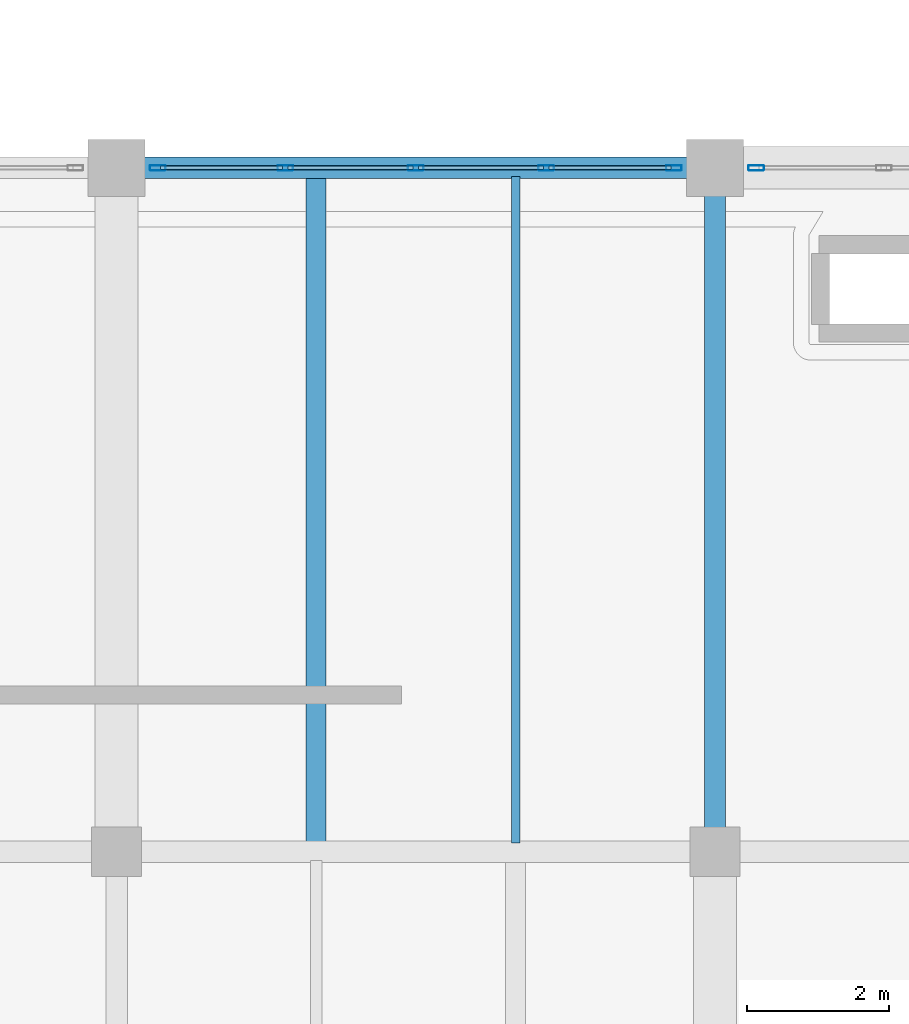
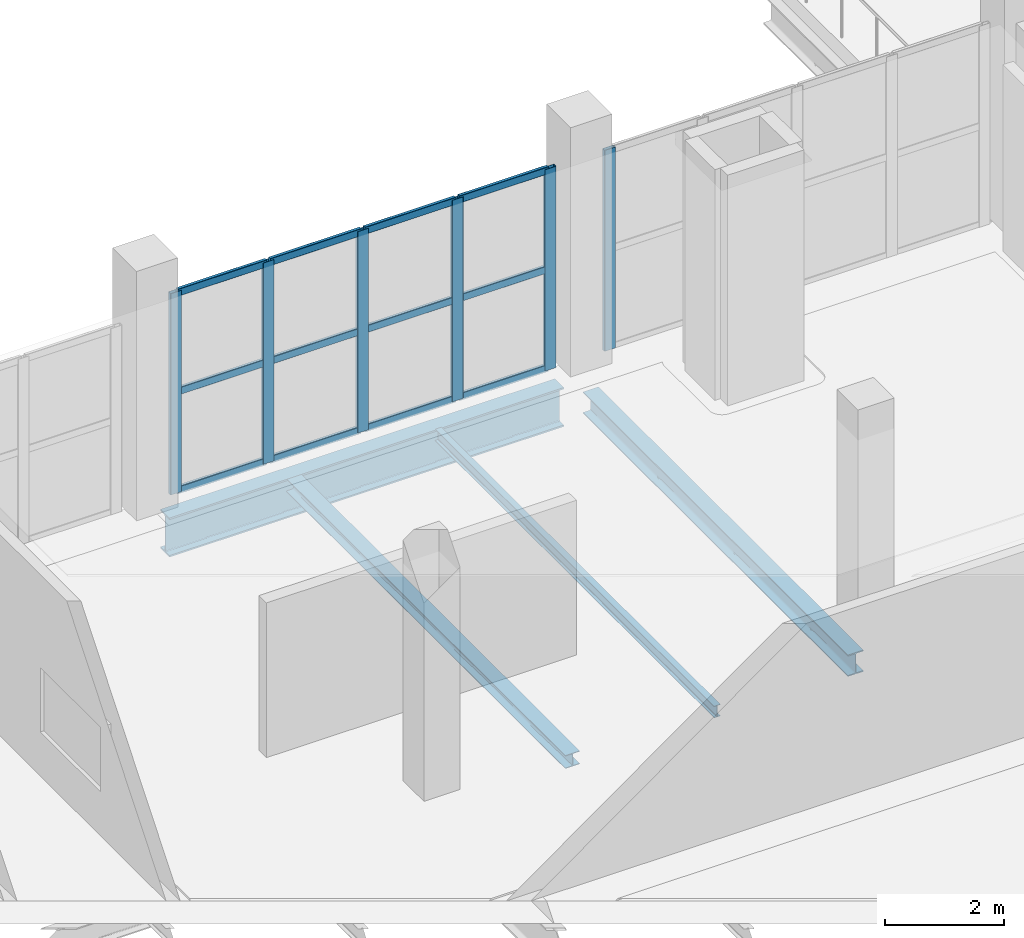
# One storey, part 19 of 77: 18 members, 4 beams, 2 elements without a shape of their own.
"""IFC4 building model written with IfcOpenShell, lengths in metres."""

from ifc_helpers import new_model, si_unit, direction, frame, origin, origin_2d, place, context, subcontext, project, spatial, hollow_rectangle, i_section, extrude, material, layer, layer_set, material_profile, profile_set, type_object, element, aggregate, save


model = new_model("IFC4")

# Units and contexts
model_context = context("Model", 3, precision=1e-05, world=origin(), true_north=direction((0.0, 1.0)))
body_context = subcontext(model_context, "Body", "Model", "MODEL_VIEW")
ifc_project = project(units=[si_unit("LENGTHUNIT", "METRE"), si_unit("AREAUNIT", "SQUARE_METRE"), si_unit("VOLUMEUNIT", "CUBIC_METRE"), si_unit("PLANEANGLEUNIT", "RADIAN"), si_unit("MASSUNIT", "GRAM", prefix="KILO")], contexts=[model_context])

# Site, building, storey
site_placement = place(None, origin())
site = spatial("IfcSite", under=ifc_project, at=site_placement, CompositionType="ELEMENT")
building_placement = place(site_placement, origin())
building = spatial("IfcBuilding", under=site, at=building_placement, Name="Zulmaris Art Gallery", CompositionType="ELEMENT")
storey_placement = place(building_placement, frame((0.0, 0.0, 15.60009765625)))
storey = spatial("IfcBuildingStorey", under=building, at=storey_placement, Name="L03", CompositionType="ELEMENT", Elevation=15.60009765625)

# Beams
ifc_material_1 = material(Name="Steel S355J2", Category="steel")
ifc_material_profile_1 = material_profile(ifc_material_1, i_section(OverallWidth=0.300048828125, OverallDepth=0.43994140625, WebThickness=0.011474609375, FlangeThickness=0.02099609375, FilletRadius=0.027099609375, at=origin_2d()), Name="HEA 450")
ifc_profile_set_1 = profile_set([ifc_material_profile_1], Name="Steel S355J2")
beam_type_1 = type_object("IfcBeamType", Name="BEAM-BM10", PredefinedType="BEAM", material=ifc_profile_set_1)
beam_1_placement = place(storey_placement, frame((74.39990234375, 41.135009765625, -0.6201171875), z_axis=(0.0, 1.0, 0.0), x_axis=(-1.0, 0.0, 0.0)))
element("IfcBeam", 1, at=beam_1_placement, inside=storey, type_object=beam_type_1, Name="L03 Y-girder (x=74.4, 40.8..50.4)", PredefinedType="BEAM", context=body_context, shape_type="SweptSolid", body=[
    extrude(i_section(OverallWidth=0.300048828125, OverallDepth=0.43994140625, WebThickness=0.011474609375, FlangeThickness=0.02099609375, FilletRadius=0.027099609375, at=origin_2d()), origin(), (0.0, 0.0, 1.0), 8.8798828125),
])
ifc_material_profile_2 = material_profile(ifc_material_1, i_section(OverallWidth=0.300048828125, OverallDepth=0.800048828125, WebThickness=0.017578125, FlangeThickness=0.032958984375, FilletRadius=0.030029296875, at=origin_2d()), Name="HEB 800")
ifc_profile_set_2 = profile_set([ifc_material_profile_2], Name="Steel S355J2")
beam_type_2 = type_object("IfcBeamType", Name="BEAM-BM17", PredefinedType="BEAM", material=ifc_profile_set_2)
beam_2_placement = place(storey_placement, frame((66.385009765625, 50.39990234375, -0.77001953125), z_axis=(1.0, 0.0, 0.0), x_axis=(0.0, 1.0, 0.0)))
element("IfcBeam", 2, at=beam_2_placement, inside=storey, type_object=beam_type_2, Name="L03 X-girder (66.0..74.4, y=50.4)", PredefinedType="BEAM", context=body_context, shape_type="SweptSolid", body=[
    extrude(i_section(OverallWidth=0.300048828125, OverallDepth=0.800048828125, WebThickness=0.017578125, FlangeThickness=0.032958984375, FilletRadius=0.030029296875, at=origin_2d()), origin(), (0.0, 0.0, 1.0), 7.6298828125),
])
ifc_material_profile_3 = material_profile(ifc_material_1, i_section(OverallWidth=0.1201171875, OverallDepth=0.239990234375, WebThickness=0.006103515625, FlangeThickness=0.009765625, FilletRadius=0.014892578125, at=origin_2d()), Name="IPE 240")
ifc_profile_set_3 = profile_set([ifc_material_profile_3], Name="Steel S355J2")
beam_type_3 = type_object("IfcBeamType", Name="BEAM-JS01", PredefinedType="JOIST", material=ifc_profile_set_3)
beam_3_placement = place(storey_placement, frame((71.60009765625, 40.925048828125, -0.489990234375), z_axis=(0.0, 1.0, 0.0), x_axis=(-1.0, 0.0, 0.0)))
element("IfcBeam", 3, at=beam_3_placement, inside=storey, type_object=beam_type_3, Name="L03 secondary joist at x=71.6", PredefinedType="JOIST", context=body_context, shape_type="SweptSolid", body=[
    extrude(i_section(OverallWidth=0.1201171875, OverallDepth=0.239990234375, WebThickness=0.006103515625, FlangeThickness=0.009765625, FilletRadius=0.014892578125, at=origin_2d()), origin(), (0.0, 0.0, 1.0), 9.349853515625),
])
ifc_material_profile_4 = material_profile(ifc_material_1, i_section(OverallWidth=0.280029296875, OverallDepth=0.27001953125, WebThickness=0.008056640625, FlangeThickness=0.012939453125, FilletRadius=0.02392578125, at=origin_2d()), Name="HEA 280")
ifc_profile_set_4 = profile_set([ifc_material_profile_4], Name="Steel S355J2")
beam_type_4 = type_object("IfcBeamType", Name="BEAM-JS04", PredefinedType="JOIST", material=ifc_profile_set_4)
beam_4_placement = place(storey_placement, frame((68.800048828125, 40.925048828125, -0.505126953125), z_axis=(0.0, 1.0, 0.0), x_axis=(-1.0, 0.0, 0.0)))
element("IfcBeam", 4, at=beam_4_placement, inside=storey, type_object=beam_type_4, Name="L03 secondary joist at x=68.8", PredefinedType="JOIST", context=body_context, shape_type="SweptSolid", body=[
    extrude(i_section(OverallWidth=0.280029296875, OverallDepth=0.27001953125, WebThickness=0.008056640625, FlangeThickness=0.012939453125, FilletRadius=0.02392578125, at=origin_2d()), origin(), (0.0, 0.0, 1.0), 9.349853515625),
])

# Curtain wall, members
ifc_material_2 = material(Name="Unitised Low-E Gallery Curtain Wall", Category="aluminium")
ifc_layer = layer(ifc_material_2, 0.179931640625)
ifc_layer_set = layer_set([ifc_layer], Name="Unitised Low-E Gallery Curtain Wall")
curtain_wall_type = type_object("IfcCurtainWallType", Name="CW-CW01", PredefinedType="NOTDEFINED", material=ifc_layer_set)
curtain_wall_1_placement = place(storey_placement, origin())
curtain_wall_1 = element("IfcCurtainWall", 5, at=curtain_wall_1_placement, inside=storey, type_object=curtain_wall_type, Name="L03 curtain wall 13", PredefinedType="NOTDEFINED")
ifc_material_3 = material(Name="Anodised Bronze Aluminium", Category="aluminium")
ifc_material_profile_5 = material_profile(ifc_material_3, hollow_rectangle(XDim=0.074951171875, YDim=0.219970703125, WallThickness=0.0048828125, InnerFilletRadius=0.007568359375, OuterFilletRadius=0.012451171875, at=origin_2d()), Name="ALU 75x220x5")
ifc_profile_set_5 = profile_set([ifc_material_profile_5], Name="Anodised Bronze Aluminium")
member_type_1 = type_object("IfcMemberType", Name="CWMUL-02", PredefinedType="MULLION", material=ifc_profile_set_5)
member_1_placement = place(storey_placement, frame((73.822509765625, 50.39990234375, 0.0), z_axis=(0.0, 0.0, 1.0), x_axis=(0.0, -1.0, 0.0)))
member_1 = element("IfcMember", 6, at=member_1_placement, type_object=member_type_1, Name="CW01 mullion 1", PredefinedType="MULLION", context=body_context, shape_type="SweptSolid", body=[
    extrude(hollow_rectangle(XDim=0.074951171875, YDim=0.219970703125, WallThickness=0.0048828125, InnerFilletRadius=0.007568359375, OuterFilletRadius=0.012451171875, at=origin_2d()), origin(), (0.0, 0.0, 1.0), 4.119873046875),
])
member_2_placement = place(storey_placement, frame((72.030029296875, 50.39990234375, 0.0), z_axis=(0.0, 0.0, 1.0), x_axis=(0.0, -1.0, 0.0)))
member_2 = element("IfcMember", 7, at=member_2_placement, type_object=member_type_1, Name="CW01 mullion 2", PredefinedType="MULLION", context=body_context, shape_type="SweptSolid", body=[
    extrude(hollow_rectangle(XDim=0.074951171875, YDim=0.219970703125, WallThickness=0.0048828125, InnerFilletRadius=0.007568359375, OuterFilletRadius=0.012451171875, at=origin_2d()), origin(), (0.0, 0.0, 1.0), 4.119873046875),
])
member_3_placement = place(storey_placement, frame((70.199951171875, 50.39990234375, 0.0), z_axis=(0.0, 0.0, 1.0), x_axis=(0.0, -1.0, 0.0)))
member_3 = element("IfcMember", 8, at=member_3_placement, type_object=member_type_1, Name="CW01 mullion 3", PredefinedType="MULLION", context=body_context, shape_type="SweptSolid", body=[
    extrude(hollow_rectangle(XDim=0.074951171875, YDim=0.219970703125, WallThickness=0.0048828125, InnerFilletRadius=0.007568359375, OuterFilletRadius=0.012451171875, at=origin_2d()), origin(), (0.0, 0.0, 1.0), 4.119873046875),
])
member_4_placement = place(storey_placement, frame((68.3701171875, 50.39990234375, 0.0), z_axis=(0.0, 0.0, 1.0), x_axis=(0.0, -1.0, 0.0)))
member_4 = element("IfcMember", 9, at=member_4_placement, type_object=member_type_1, Name="CW01 mullion 4", PredefinedType="MULLION", context=body_context, shape_type="SweptSolid", body=[
    extrude(hollow_rectangle(XDim=0.074951171875, YDim=0.219970703125, WallThickness=0.0048828125, InnerFilletRadius=0.007568359375, OuterFilletRadius=0.012451171875, at=origin_2d()), origin(), (0.0, 0.0, 1.0), 4.119873046875),
])
member_5_placement = place(storey_placement, frame((66.577392578125, 50.39990234375, 0.0), z_axis=(0.0, 0.0, 1.0), x_axis=(0.0, -1.0, 0.0)))
member_5 = element("IfcMember", 10, at=member_5_placement, type_object=member_type_1, Name="CW01 mullion 5", PredefinedType="MULLION", context=body_context, shape_type="SweptSolid", body=[
    extrude(hollow_rectangle(XDim=0.074951171875, YDim=0.219970703125, WallThickness=0.0048828125, InnerFilletRadius=0.007568359375, OuterFilletRadius=0.012451171875, at=origin_2d()), origin(), (0.0, 0.0, 1.0), 4.119873046875),
])

# Curtain wall, member
curtain_wall_2_placement = place(storey_placement, origin())
curtain_wall_2 = element("IfcCurtainWall", 11, at=curtain_wall_2_placement, inside=storey, type_object=curtain_wall_type, Name="L03 curtain wall 15", PredefinedType="NOTDEFINED")
member_6_placement = place(storey_placement, frame((74.9775390625, 50.39990234375, 0.0), z_axis=(0.0, 0.0, 1.0), x_axis=(0.0, -1.0, 0.0)))
member_6 = element("IfcMember", 12, at=member_6_placement, type_object=member_type_1, Name="CW01 mullion 5", PredefinedType="MULLION", context=body_context, shape_type="SweptSolid", body=[
    extrude(hollow_rectangle(XDim=0.074951171875, YDim=0.219970703125, WallThickness=0.0048828125, InnerFilletRadius=0.007568359375, OuterFilletRadius=0.012451171875, at=origin_2d()), origin(), (0.0, 0.0, 1.0), 4.10986328125),
])
aggregate(curtain_wall_2, [member_6])

# Member
ifc_material_profile_6 = material_profile(ifc_material_3, hollow_rectangle(XDim=0.06494140625, YDim=0.14990234375, WallThickness=0.00390625, InnerFilletRadius=0.006103515625, OuterFilletRadius=0.010009765625, at=origin_2d()), Name="ALU 65x150x4")
ifc_profile_set_6 = profile_set([ifc_material_profile_6], Name="Anodised Bronze Aluminium")
member_type_2 = type_object("IfcMemberType", Name="CWTRN-01", PredefinedType="USERDEFINED", material=ifc_profile_set_6)
member_7_placement = place(storey_placement, frame((73.784912109375, 50.39990234375, 0.037353515625), z_axis=(-1.0, 0.0, 0.0), x_axis=(0.0, -1.0, 0.0)))
member_7 = element("IfcMember", 13, at=member_7_placement, type_object=member_type_2, Name="CW01 transom 1.1", ObjectType="TRANSOM", PredefinedType="USERDEFINED", context=body_context, shape_type="SweptSolid", body=[
    extrude(hollow_rectangle(XDim=0.06494140625, YDim=0.14990234375, WallThickness=0.00390625, InnerFilletRadius=0.006103515625, OuterFilletRadius=0.010009765625, at=origin_2d()), origin(), (0.0, 0.0, 1.0), 1.717529296875),
])

member_8_placement = place(storey_placement, frame((73.784912109375, 50.39990234375, 2.059814453125), z_axis=(-1.0, 0.0, 0.0), x_axis=(0.0, -1.0, 0.0)))
member_8 = element("IfcMember", 14, at=member_8_placement, type_object=member_type_2, Name="CW01 transom 1.2", ObjectType="TRANSOM", PredefinedType="USERDEFINED", context=body_context, shape_type="SweptSolid", body=[
    extrude(hollow_rectangle(XDim=0.06494140625, YDim=0.14990234375, WallThickness=0.00390625, InnerFilletRadius=0.006103515625, OuterFilletRadius=0.010009765625, at=origin_2d()), origin(), (0.0, 0.0, 1.0), 1.717529296875),
])

member_9_placement = place(storey_placement, frame((73.784912109375, 50.39990234375, 4.08251953125), z_axis=(-1.0, 0.0, 0.0), x_axis=(0.0, -1.0, 0.0)))
member_9 = element("IfcMember", 15, at=member_9_placement, type_object=member_type_2, Name="CW01 transom 1.3", ObjectType="TRANSOM", PredefinedType="USERDEFINED", context=body_context, shape_type="SweptSolid", body=[
    extrude(hollow_rectangle(XDim=0.06494140625, YDim=0.14990234375, WallThickness=0.00390625, InnerFilletRadius=0.006103515625, OuterFilletRadius=0.010009765625, at=origin_2d()), origin(), (0.0, 0.0, 1.0), 1.717529296875),
])

member_10_placement = place(storey_placement, frame((71.992431640625, 50.39990234375, 0.037353515625), z_axis=(-1.0, 0.0, 0.0), x_axis=(0.0, -1.0, 0.0)))
member_10 = element("IfcMember", 16, at=member_10_placement, type_object=member_type_2, Name="CW01 transom 2.1", ObjectType="TRANSOM", PredefinedType="USERDEFINED", context=body_context, shape_type="SweptSolid", body=[
    extrude(hollow_rectangle(XDim=0.06494140625, YDim=0.14990234375, WallThickness=0.00390625, InnerFilletRadius=0.006103515625, OuterFilletRadius=0.010009765625, at=origin_2d()), origin(), (0.0, 0.0, 1.0), 1.7548828125),
])

member_11_placement = place(storey_placement, frame((71.992431640625, 50.39990234375, 2.059814453125), z_axis=(-1.0, 0.0, 0.0), x_axis=(0.0, -1.0, 0.0)))
member_11 = element("IfcMember", 17, at=member_11_placement, type_object=member_type_2, Name="CW01 transom 2.2", ObjectType="TRANSOM", PredefinedType="USERDEFINED", context=body_context, shape_type="SweptSolid", body=[
    extrude(hollow_rectangle(XDim=0.06494140625, YDim=0.14990234375, WallThickness=0.00390625, InnerFilletRadius=0.006103515625, OuterFilletRadius=0.010009765625, at=origin_2d()), origin(), (0.0, 0.0, 1.0), 1.7548828125),
])

member_12_placement = place(storey_placement, frame((71.992431640625, 50.39990234375, 4.08251953125), z_axis=(-1.0, 0.0, 0.0), x_axis=(0.0, -1.0, 0.0)))
member_12 = element("IfcMember", 18, at=member_12_placement, type_object=member_type_2, Name="CW01 transom 2.3", ObjectType="TRANSOM", PredefinedType="USERDEFINED", context=body_context, shape_type="SweptSolid", body=[
    extrude(hollow_rectangle(XDim=0.06494140625, YDim=0.14990234375, WallThickness=0.00390625, InnerFilletRadius=0.006103515625, OuterFilletRadius=0.010009765625, at=origin_2d()), origin(), (0.0, 0.0, 1.0), 1.7548828125),
])

member_13_placement = place(storey_placement, frame((70.16259765625, 50.39990234375, 0.037353515625), z_axis=(-1.0, 0.0, 0.0), x_axis=(0.0, -1.0, 0.0)))
member_13 = element("IfcMember", 19, at=member_13_placement, type_object=member_type_2, Name="CW01 transom 3.1", ObjectType="TRANSOM", PredefinedType="USERDEFINED", context=body_context, shape_type="SweptSolid", body=[
    extrude(hollow_rectangle(XDim=0.06494140625, YDim=0.14990234375, WallThickness=0.00390625, InnerFilletRadius=0.006103515625, OuterFilletRadius=0.010009765625, at=origin_2d()), origin(), (0.0, 0.0, 1.0), 1.755126953125),
])

member_14_placement = place(storey_placement, frame((70.16259765625, 50.39990234375, 2.059814453125), z_axis=(-1.0, 0.0, 0.0), x_axis=(0.0, -1.0, 0.0)))
member_14 = element("IfcMember", 20, at=member_14_placement, type_object=member_type_2, Name="CW01 transom 3.2", ObjectType="TRANSOM", PredefinedType="USERDEFINED", context=body_context, shape_type="SweptSolid", body=[
    extrude(hollow_rectangle(XDim=0.06494140625, YDim=0.14990234375, WallThickness=0.00390625, InnerFilletRadius=0.006103515625, OuterFilletRadius=0.010009765625, at=origin_2d()), origin(), (0.0, 0.0, 1.0), 1.755126953125),
])

member_15_placement = place(storey_placement, frame((70.16259765625, 50.39990234375, 4.08251953125), z_axis=(-1.0, 0.0, 0.0), x_axis=(0.0, -1.0, 0.0)))
member_15 = element("IfcMember", 21, at=member_15_placement, type_object=member_type_2, Name="CW01 transom 3.3", ObjectType="TRANSOM", PredefinedType="USERDEFINED", context=body_context, shape_type="SweptSolid", body=[
    extrude(hollow_rectangle(XDim=0.06494140625, YDim=0.14990234375, WallThickness=0.00390625, InnerFilletRadius=0.006103515625, OuterFilletRadius=0.010009765625, at=origin_2d()), origin(), (0.0, 0.0, 1.0), 1.755126953125),
])

member_16_placement = place(storey_placement, frame((68.33251953125, 50.39990234375, 0.037353515625), z_axis=(-1.0, 0.0, 0.0), x_axis=(0.0, -1.0, 0.0)))
member_16 = element("IfcMember", 22, at=member_16_placement, type_object=member_type_2, Name="CW01 transom 4.1", ObjectType="TRANSOM", PredefinedType="USERDEFINED", context=body_context, shape_type="SweptSolid", body=[
    extrude(hollow_rectangle(XDim=0.06494140625, YDim=0.14990234375, WallThickness=0.00390625, InnerFilletRadius=0.006103515625, OuterFilletRadius=0.010009765625, at=origin_2d()), origin(), (0.0, 0.0, 1.0), 1.717529296875),
])

member_17_placement = place(storey_placement, frame((68.33251953125, 50.39990234375, 2.059814453125), z_axis=(-1.0, 0.0, 0.0), x_axis=(0.0, -1.0, 0.0)))
member_17 = element("IfcMember", 23, at=member_17_placement, type_object=member_type_2, Name="CW01 transom 4.2", ObjectType="TRANSOM", PredefinedType="USERDEFINED", context=body_context, shape_type="SweptSolid", body=[
    extrude(hollow_rectangle(XDim=0.06494140625, YDim=0.14990234375, WallThickness=0.00390625, InnerFilletRadius=0.006103515625, OuterFilletRadius=0.010009765625, at=origin_2d()), origin(), (0.0, 0.0, 1.0), 1.717529296875),
])

member_18_placement = place(storey_placement, frame((68.33251953125, 50.39990234375, 4.08251953125), z_axis=(-1.0, 0.0, 0.0), x_axis=(0.0, -1.0, 0.0)))
member_18 = element("IfcMember", 24, at=member_18_placement, type_object=member_type_2, Name="CW01 transom 4.3", ObjectType="TRANSOM", PredefinedType="USERDEFINED", context=body_context, shape_type="SweptSolid", body=[
    extrude(hollow_rectangle(XDim=0.06494140625, YDim=0.14990234375, WallThickness=0.00390625, InnerFilletRadius=0.006103515625, OuterFilletRadius=0.010009765625, at=origin_2d()), origin(), (0.0, 0.0, 1.0), 1.717529296875),
])

aggregate(curtain_wall_1, [member_1, member_2, member_3, member_4, member_5, member_7, member_8, member_9, member_10, member_11, member_12, member_13, member_14, member_15, member_16, member_17, member_18])

save(model, "model.ifc")
